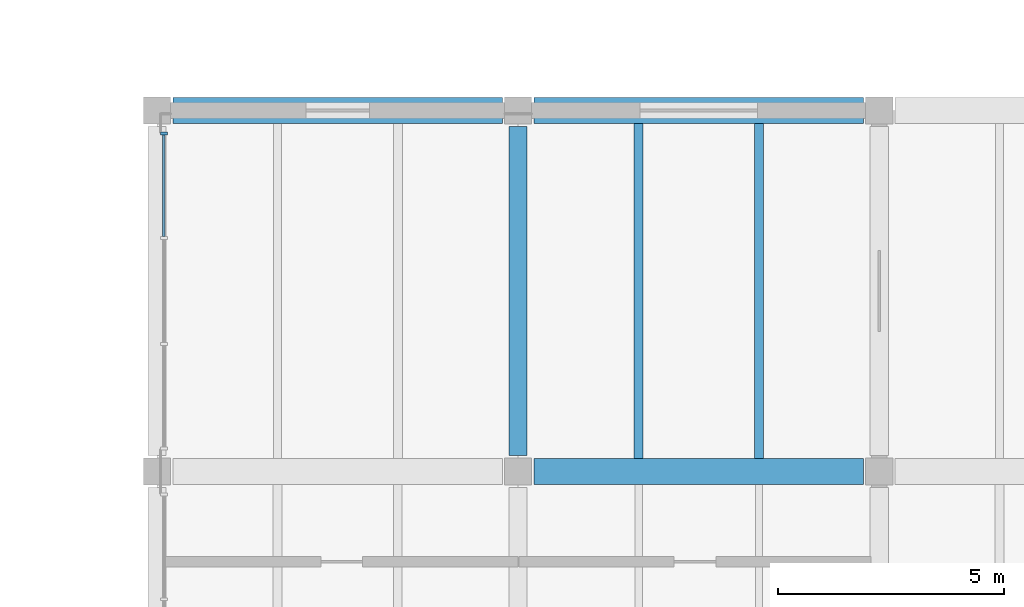
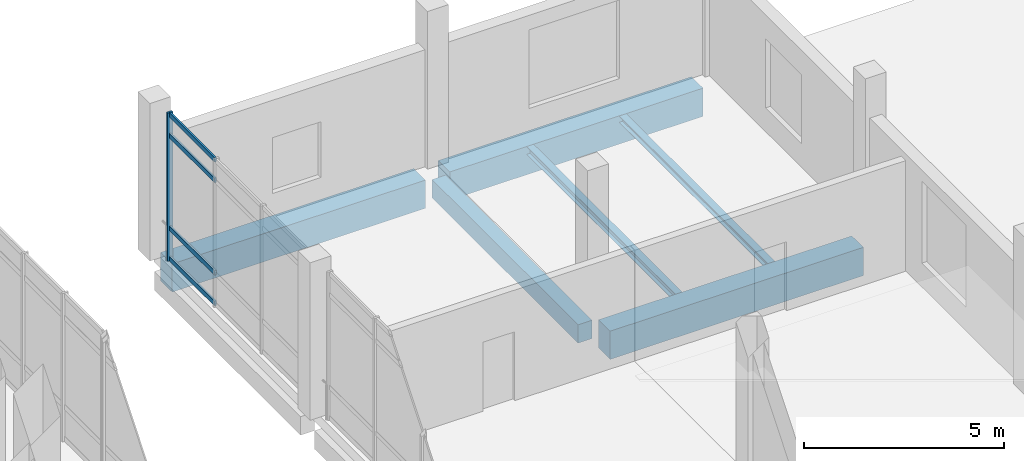
# One storey, part 22 of 47: 6 beams, 5 members, 1 element without a shape of its own.
"""IFC4 building model written with IfcOpenShell, lengths in metres."""

from ifc_helpers import new_model, si_unit, direction, frame, origin, origin_2d, place, context, subcontext, project, spatial, rectangle, i_section, extrude, material, material_profile, profile_set, type_object, element, aggregate, save


model = new_model("IFC4")

# Units and contexts
model_context = context("Model", 3, precision=1e-05, world=origin(), true_north=direction((0.0, 1.0)))
body_context = subcontext(model_context, "Body", "Model", "MODEL_VIEW")
ifc_project = project(units=[si_unit("LENGTHUNIT", "METRE"), si_unit("AREAUNIT", "SQUARE_METRE"), si_unit("VOLUMEUNIT", "CUBIC_METRE"), si_unit("PLANEANGLEUNIT", "RADIAN"), si_unit("MASSUNIT", "GRAM", prefix="KILO")], contexts=[model_context])

# Site, building, storey
site_placement = place(None, origin())
site = spatial("IfcSite", under=ifc_project, at=site_placement, CompositionType="ELEMENT")
building_placement = place(site_placement, origin())
building = spatial("IfcBuilding", under=site, at=building_placement, Name="Pecanmere Concourse Central Library", CompositionType="ELEMENT")
storey_placement = place(building_placement, frame((0.0, 0.0, 15.300048828125)))
storey = spatial("IfcBuildingStorey", under=building, at=storey_placement, Name="L04", CompositionType="ELEMENT", Elevation=15.300048828125)

# Beam
ifc_material_1 = material(Name="Concrete C40/50", Category="concrete")
ifc_material_profile_1 = material_profile(ifc_material_1, rectangle(XDim=0.39990234375, YDim=0.56005859375, at=origin_2d()), Name="RC 400x560")
ifc_profile_set_1 = profile_set([ifc_material_profile_1], Name="Concrete C40/50")
beam_type_1 = type_object("IfcBeamType", Name="BM_400x560", PredefinedType="BEAM", material=ifc_profile_set_1)
beam_1_placement = place(storey_placement, frame((120.0, 98.35009765625, -0.60009765625), z_axis=(0.0, 1.0, 0.0), x_axis=(-1.0, 0.0, 0.0)))
element("IfcBeam", 1, at=beam_1_placement, inside=storey, type_object=beam_type_1, Name="Primary Girder Y L04-2302", PredefinedType="BEAM", context=body_context, shape_type="SweptSolid", body=[
    extrude(rectangle(XDim=0.39990234375, YDim=0.56005859375, at=origin_2d()), origin(), (0.0, 0.0, 1.0), 7.2998046875),
])

# Curtain wall, members
ifc_material_2 = material(Name="Clear anodized aluminium alloy 6063-T6", Category="aluminium")
curtain_wall_type = type_object("IfcCurtainWallType", Name="CW_CLOISTER_GLAZ", PredefinedType="USERDEFINED", material=ifc_material_2)
curtain_wall_placement = place(storey_placement, origin())
curtain_wall = element("IfcCurtainWall", 2, at=curtain_wall_placement, inside=storey, type_object=curtain_wall_type, Name="Unitised Curtain Wall CW-04 L04-151", ObjectType="UNITISED CURTAIN WALL", PredefinedType="USERDEFINED")
ifc_material_3 = material(Name="Clear anodized aluminium alloy 6063-T6", Category="aluminium")
ifc_material_profile_2 = material_profile(ifc_material_3, rectangle(XDim=0.06005859375, YDim=0.14990234375, at=origin_2d()), Name="AL 60x150")
ifc_profile_set_2 = profile_set([ifc_material_profile_2], Name="Clear anodized aluminium alloy 6063-T6")
member_type_1 = type_object("IfcMemberType", Name="CWM_150x60", PredefinedType="MULLION", material=ifc_profile_set_2)
member_1_placement = place(storey_placement, frame((112.14990234375, 105.489990234375, 0.0), z_axis=(0.0, 0.0, 1.0), x_axis=(0.0, -1.0, 0.0)))
member_1 = element("IfcMember", 3, at=member_1_placement, type_object=member_type_1, Name="CW-04 Mullion 1", PredefinedType="MULLION", context=body_context, shape_type="SweptSolid", body=[
    extrude(rectangle(XDim=0.06005859375, YDim=0.14990234375, at=origin_2d()), origin(), (0.0, 0.0, 1.0), 4.52001953125),
])
ifc_material_4 = material(Name="Clear anodized aluminium alloy 6063-T6", Category="aluminium")
ifc_material_profile_3 = material_profile(ifc_material_4, rectangle(XDim=0.054931640625, YDim=0.139892578125, at=origin_2d()), Name="AL 55x140")
ifc_profile_set_3 = profile_set([ifc_material_profile_3], Name="Clear anodized aluminium alloy 6063-T6")
member_type_2 = type_object("IfcMemberType", Name="CWT_140x55", PredefinedType="USERDEFINED", material=ifc_profile_set_3)
member_2_placement = place(storey_placement, frame((112.14990234375, 105.4599609375, 0.070068359375), z_axis=(0.0, -1.0, 0.0), x_axis=(1.0, 0.0, 0.0)))
member_2 = element("IfcMember", 4, at=member_2_placement, type_object=member_type_2, Name="CW-04 Transom 1.1", ObjectType="TRANSOM", PredefinedType="USERDEFINED", context=body_context, shape_type="SweptSolid", body=[
    extrude(rectangle(XDim=0.054931640625, YDim=0.139892578125, at=origin_2d()), origin(), (0.0, 0.0, 1.0), 2.256591796875),
])
member_3_placement = place(storey_placement, frame((112.14990234375, 105.4599609375, 1.0), z_axis=(0.0, -1.0, 0.0), x_axis=(1.0, 0.0, 0.0)))
member_3 = element("IfcMember", 5, at=member_3_placement, type_object=member_type_2, Name="CW-04 Transom 1.2", ObjectType="TRANSOM", PredefinedType="USERDEFINED", context=body_context, shape_type="SweptSolid", body=[
    extrude(rectangle(XDim=0.054931640625, YDim=0.139892578125, at=origin_2d()), origin(), (0.0, 0.0, 1.0), 2.256591796875),
])
member_4_placement = place(storey_placement, frame((112.14990234375, 105.4599609375, 3.820068359375), z_axis=(0.0, -1.0, 0.0), x_axis=(1.0, 0.0, 0.0)))
member_4 = element("IfcMember", 6, at=member_4_placement, type_object=member_type_2, Name="CW-04 Transom 1.3", ObjectType="TRANSOM", PredefinedType="USERDEFINED", context=body_context, shape_type="SweptSolid", body=[
    extrude(rectangle(XDim=0.054931640625, YDim=0.139892578125, at=origin_2d()), origin(), (0.0, 0.0, 1.0), 2.256591796875),
])
member_5_placement = place(storey_placement, frame((112.14990234375, 105.4599609375, 4.449951171875), z_axis=(0.0, -1.0, 0.0), x_axis=(1.0, 0.0, 0.0)))
member_5 = element("IfcMember", 7, at=member_5_placement, type_object=member_type_2, Name="CW-04 Transom 1.4", ObjectType="TRANSOM", PredefinedType="USERDEFINED", context=body_context, shape_type="SweptSolid", body=[
    extrude(rectangle(XDim=0.054931640625, YDim=0.139892578125, at=origin_2d()), origin(), (0.0, 0.0, 1.0), 2.256591796875),
])
aggregate(curtain_wall, [member_1, member_2, member_3, member_4, member_5])

# Beams
ifc_material_5 = material(Name="Concrete C40/50", Category="concrete")
ifc_material_profile_4 = material_profile(ifc_material_5, rectangle(XDim=0.580078125, YDim=0.860107421875, at=origin_2d()), Name="RC 580x860")
ifc_profile_set_4 = profile_set([ifc_material_profile_4], Name="Concrete C40/50")
beam_type_2 = type_object("IfcBeamType", Name="GRD_580x860", PredefinedType="USERDEFINED", material=ifc_profile_set_4)
for number, where, z_axis, x_axis, name in (
    (8, (120.35009765625, 98.0, -0.75), (1.0, 0.0, 0.0), (0.0, 1.0, 0.0), "Primary Girder X L04-2200"),
    (9, (112.35009765625, 106.0, -0.75), (1.0, 0.0, 0.0), (0.0, 1.0, 0.0), "Primary Girder X L04-2209"),
    (10, (120.35009765625, 106.0, -0.75), (1.0, 0.0, 0.0), (0.0, 1.0, 0.0), "Primary Girder X L04-2210"),
):
    element("IfcBeam", number, at=place(storey_placement, frame(where, z_axis=z_axis, x_axis=x_axis)), inside=storey, type_object=beam_type_2, Name=name, ObjectType="GIRDER", PredefinedType="USERDEFINED", context=body_context, shape_type="SweptSolid", body=[
        extrude(rectangle(XDim=0.580078125, YDim=0.860107421875, at=origin_2d()), origin(), (0.0, 0.0, 1.0), 7.2998046875),
    ])
ifc_material_6 = material(Name="Structural steel ASTM A992 Grade 50", Category="steel")
ifc_material_profile_5 = material_profile(ifc_material_6, i_section(OverallWidth=0.2041015625, OverallDepth=0.2060546875, WebThickness=0.0078125, FlangeThickness=0.0126953125, at=origin_2d()), Name="W200x52")
ifc_profile_set_5 = profile_set([ifc_material_profile_5], Name="Structural steel ASTM A992 Grade 50")
beam_type_3 = type_object("IfcBeamType", Name="SBM_W200x52", PredefinedType="JOIST", material=ifc_profile_set_5)
beam_2_placement = place(storey_placement, frame((125.333251953125, 98.2900390625, -0.423095703125), z_axis=(0.0, 1.0, 0.0), x_axis=(-1.0, 0.0, 0.0)))
element("IfcBeam", 11, at=beam_2_placement, inside=storey, type_object=beam_type_3, Name="Secondary Floor Joist L04-2425", PredefinedType="JOIST", context=body_context, shape_type="SweptSolid", body=[
    extrude(i_section(OverallWidth=0.2041015625, OverallDepth=0.2060546875, WebThickness=0.0078125, FlangeThickness=0.0126953125, at=origin_2d()), origin(), (0.0, 0.0, 1.0), 7.419921875),
])
ifc_material_7 = material(Name="Structural steel ASTM A992 Grade 50", Category="steel")
ifc_material_profile_6 = material_profile(ifc_material_7, i_section(OverallWidth=0.201904296875, OverallDepth=0.2470703125, WebThickness=0.00732421875, FlangeThickness=0.010986328125, at=origin_2d()), Name="W250x49.1")
ifc_profile_set_6 = profile_set([ifc_material_profile_6], Name="Structural steel ASTM A992 Grade 50")
beam_type_4 = type_object("IfcBeamType", Name="SBM_W250x49", PredefinedType="JOIST", material=ifc_profile_set_6)
beam_3_placement = place(storey_placement, frame((122.666748046875, 98.2900390625, -0.443603515625), z_axis=(0.0, 1.0, 0.0), x_axis=(-1.0, 0.0, 0.0)))
element("IfcBeam", 12, at=beam_3_placement, inside=storey, type_object=beam_type_4, Name="Secondary Floor Joist L04-2424", PredefinedType="JOIST", context=body_context, shape_type="SweptSolid", body=[
    extrude(i_section(OverallWidth=0.201904296875, OverallDepth=0.2470703125, WebThickness=0.00732421875, FlangeThickness=0.010986328125, at=origin_2d()), origin(), (0.0, 0.0, 1.0), 7.419921875),
])

save(model, "model.ifc")
